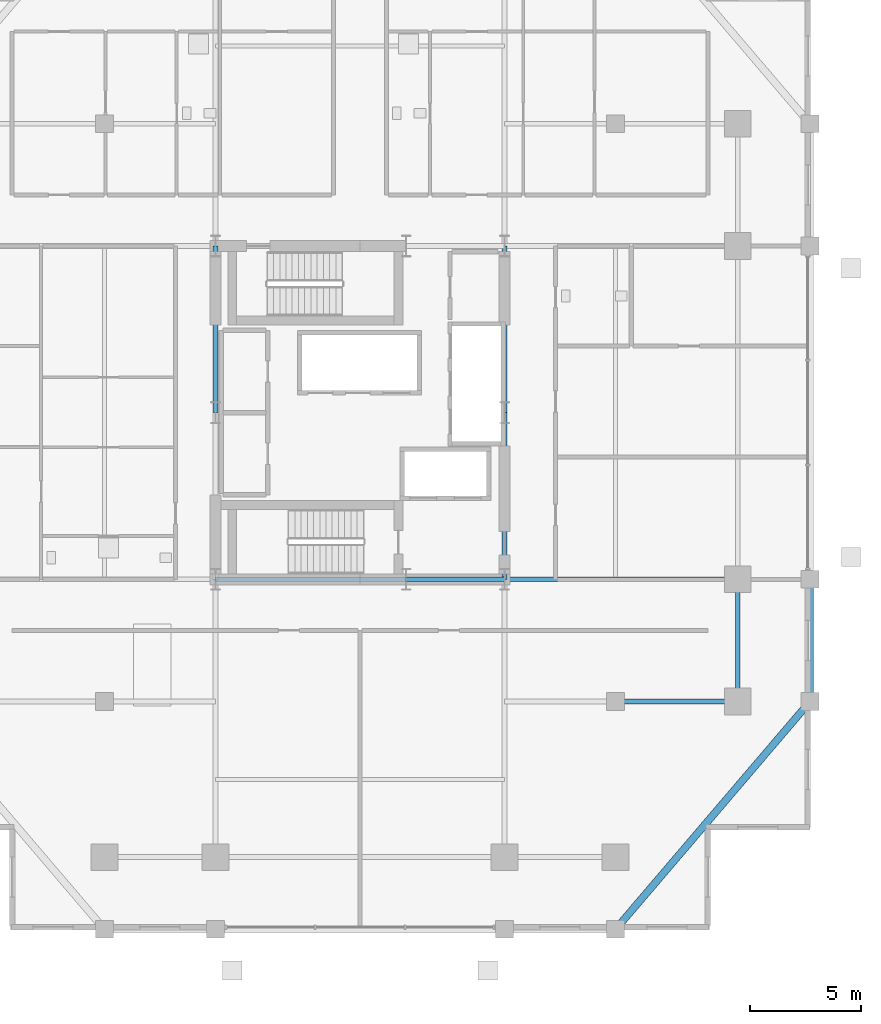
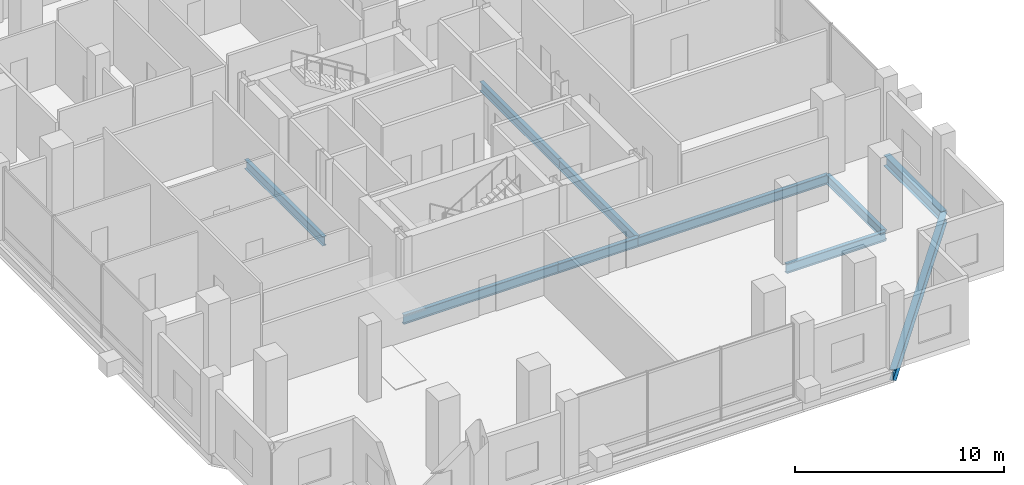
# One storey, part 6 of 19: 10 beams.
"""IFC4 building model written with IfcOpenShell, lengths in metres."""

import ifcopenshell
import ifcopenshell.guid

model = None  # the IFC model being written
_history = None  # IfcOwnerHistory: only IFC2X3 demands one
_inside = {}  # id of a spatial element -> (the spatial element, [elements in it])
_under = {}  # id of a project, library or spatial element -> (it, [spatial elements below it])
_declared = {}  # id of a project -> (the project, [libraries it declares])
_typed = {}  # id of a type object -> (the type object, [elements of that type])
_made_of = {}  # id of a material, layer set ... -> (it, [elements and type objects made of it])


def new_model(schema):
    """Start an empty IFC model of exactly this schema.

    Asked for "IFC4X3", IfcOpenShell would pick the latest addendum, in which some entities
    have other attributes; the version numbers below select the first issue.
    IFC2X3 requires an IfcOwnerHistory on every rooted entity: one is made here for all.
    """
    global model, _history
    if schema == "IFC4X3":
        model = ifcopenshell.file(schema_version=(4, 3, 0, 0))
    else:
        model = ifcopenshell.file(schema=schema)
    _inside.clear()
    _under.clear()
    _declared.clear()
    _typed.clear()
    _made_of.clear()
    _history = None
    if model.schema == "IFC2X3":
        org = make("IfcOrganization", Name="unknown")
        user = make(
            "IfcPersonAndOrganization",
            ThePerson=make("IfcPerson", FamilyName="unknown"),
            TheOrganization=org,
        )
        app = make(
            "IfcApplication",
            ApplicationDeveloper=org,
            Version="unknown",
            ApplicationFullName="unknown",
            ApplicationIdentifier="unknown",
        )
        _history = make(
            "IfcOwnerHistory",
            OwningUser=user,
            OwningApplication=app,
            ChangeAction="ADDED",
            CreationDate=0,
        )
    return model


def make(cls, **values):
    """One entity of the class cls with the attributes given. An attribute that is None is left unset."""
    return model.create_entity(
        cls, **{name: value for name, value in values.items() if value is not None}
    )


def rooted(cls, **values):
    """An entity with a GlobalId (a new one), such as an element, a storey or a relation."""
    return make(cls, GlobalId=ifcopenshell.guid.new(), OwnerHistory=_history, **values)


def si_unit(unit_type, name, prefix=None):
    """IfcSIUnit, for example si_unit("LENGTHUNIT", "METRE", prefix="MILLI")."""
    return make("IfcSIUnit", UnitType=unit_type, Prefix=prefix, Name=name)


def assignment(units):
    """IfcUnitAssignment: the units of a project."""
    return None if units is None else make("IfcUnitAssignment", Units=units)


def point(xyz):
    """IfcCartesianPoint."""
    return None if xyz is None else make("IfcCartesianPoint", Coordinates=xyz)


def direction(xyz):
    """IfcDirection."""
    return None if xyz is None else make("IfcDirection", DirectionRatios=xyz)


def frame(location, z_axis=None, x_axis=None):
    """IfcAxis2Placement3D, a coordinate frame: its origin and axes. An axis left out is left unset."""
    return make(
        "IfcAxis2Placement3D",
        Location=point(location),
        Axis=direction(z_axis),
        RefDirection=direction(x_axis),
    )


def frame_2d(location, x_axis=None):
    """IfcAxis2Placement2D, a coordinate frame in the plane: its origin and x axis."""
    return make(
        "IfcAxis2Placement2D", Location=point(location), RefDirection=direction(x_axis)
    )


def origin():
    """The frame at (0, 0, 0) with its axes left unset."""
    return frame((0.0, 0.0, 0.0))


def origin_2d():
    """The frame at (0, 0) in the plane with its x axis left unset."""
    return frame_2d((0.0, 0.0))


def place(relative_to, where):
    """IfcLocalPlacement: puts the frame where relative to a parent placement (None: the world)."""
    return make(
        "IfcLocalPlacement", PlacementRelTo=relative_to, RelativePlacement=where
    )


def context(
    kind, dimensions, precision=None, world=None, true_north=None, identifier=None
):
    """IfcGeometricRepresentationContext, for example the 3D "Model" context."""
    return make(
        "IfcGeometricRepresentationContext",
        ContextIdentifier=identifier,
        ContextType=kind,
        CoordinateSpaceDimension=dimensions,
        Precision=precision,
        WorldCoordinateSystem=world,
        TrueNorth=true_north,
    )


def subcontext(parent, identifier, kind, view, scale=None):
    """IfcGeometricRepresentationSubContext, for example "Body" below "Model"."""
    return make(
        "IfcGeometricRepresentationSubContext",
        ContextIdentifier=identifier,
        ContextType=kind,
        ParentContext=parent,
        TargetScale=scale,
        TargetView=view,
    )


def project(units=None, contexts=None):
    """IfcProject with its units and contexts."""
    return rooted(
        "IfcProject",
        Name="project",
        RepresentationContexts=contexts,
        UnitsInContext=assignment(units),
    )


def spatial(cls, under=None, at=None, **own):
    """A site, building, storey or space (cls), placed at a placement, below another one or the project."""
    s = rooted(cls, ObjectPlacement=at, **own)
    if under is not None:
        _under.setdefault(under.id(), (under, []))[1].append(s)
    return s


def profile(cls, at=None, kind="AREA", **sizes):
    """A parametric profile (cls). Its sizes go by their IFC names, for example OverallWidth=200.0."""
    return make(cls, ProfileType=kind, Position=at, **sizes)


def i_section(**sizes):
    """IfcIShapeProfileDef."""
    return profile("IfcIShapeProfileDef", **sizes)


def extrude(swept, where, along, depth):
    """IfcExtrudedAreaSolid: the profile swept, set in the frame where, extruded along a direction by depth."""
    return make(
        "IfcExtrudedAreaSolid",
        SweptArea=swept,
        Position=where,
        ExtrudedDirection=direction(along),
        Depth=depth,
    )


def shape(context_of_items, identifier, shape_type, items):
    """IfcShapeRepresentation: the items that make up one representation, for example the "Body"."""
    return make(
        "IfcShapeRepresentation",
        ContextOfItems=context_of_items,
        RepresentationIdentifier=identifier,
        RepresentationType=shape_type,
        Items=items,
    )


def material(Name=None, Category=None):
    """IfcMaterial."""
    return make("IfcMaterial", Name=Name, Category=Category)


def material_profile(
    of_material, cross_section, Name=None, Category=None, Priority=None
):
    """IfcMaterialProfile: a cross section and its material."""
    return make(
        "IfcMaterialProfile",
        Name=Name,
        Material=of_material,
        Profile=cross_section,
        Priority=Priority,
        Category=Category,
    )


def profile_set(profiles, Name=None, composite=None):
    """IfcMaterialProfileSet."""
    return make(
        "IfcMaterialProfileSet",
        Name=Name,
        MaterialProfiles=profiles,
        CompositeProfile=composite,
    )


def made_of(thing, what):
    """Note that an element or type object is made of a material, layer set ...; save() writes the relation."""
    if what is not None:
        _made_of.setdefault(what.id(), (what, []))[1].append(thing)
    return thing


def type_object(cls, material=None, **own):
    """A type object (cls), such as IfcWallType, which elements share."""
    return made_of(rooted(cls, **own), material)


def element(
    cls,
    number,
    at=None,
    inside=None,
    cuts=None,
    type_object=None,
    material=None,
    context=None,
    identifier="Body",
    shape_type=None,
    held_by="IfcProductDefinitionShape",
    body=None,
    shapes=None,
    **own,
):
    """One element of the class cls, such as IfcWall. Its Tag is "e" and its number.

    at: its placement. inside: the storey or other place that contains it. cuts: it is an
    opening in that element (IfcRelVoidsElement). A single representation is given by context,
    identifier, shape_type and body (its items); several are given by shapes. held_by: the class
    of the entity that holds the representations. save() writes the other relations.
    """
    e = rooted(cls, Tag="e%d" % number, ObjectPlacement=at, **own)
    if body is not None:
        shapes = [shape(context, identifier, shape_type, body)]
    if shapes is not None:
        e.Representation = make(held_by, Representations=shapes)
    if inside is not None:
        _inside.setdefault(inside.id(), (inside, []))[1].append(e)
    if cuts is not None:
        rooted(
            "IfcRelVoidsElement", RelatingBuildingElement=cuts, RelatedOpeningElement=e
        )
    if type_object is not None:
        _typed.setdefault(type_object.id(), (type_object, []))[1].append(e)
    return made_of(e, material)


def aggregate(whole, parts):
    """IfcRelAggregates: a whole, such as a stair, and the parts it consists of."""
    return rooted("IfcRelAggregates", RelatingObject=whole, RelatedObjects=parts)


def save(model, path):
    """Write the relations noted so far, then the file.

    IfcRelAggregates (storeys below a building ...), IfcRelContainedInSpatialStructure (elements
    in a storey), IfcRelDefinesByType, IfcRelAssociatesMaterial and IfcRelDeclares: one each for
    every whole, place, type object, material and project.
    """
    for whole, parts in _under.values():
        aggregate(whole, parts)
    for where, things in _inside.values():
        rooted(
            "IfcRelContainedInSpatialStructure",
            RelatedElements=things,
            RelatingStructure=where,
        )
    for kind, things in _typed.values():
        rooted("IfcRelDefinesByType", RelatedObjects=things, RelatingType=kind)
    for what, things in _made_of.values():
        rooted("IfcRelAssociatesMaterial", RelatedObjects=things, RelatingMaterial=what)
    for by, libraries in _declared.values():
        rooted("IfcRelDeclares", RelatingContext=by, RelatedDefinitions=libraries)
    model.write(path)


model = new_model("IFC4")

# Units and contexts
model_context = context("Model", 3, precision=1e-05, world=origin(), true_north=direction((0.0, 1.0)))
body_context = subcontext(model_context, "Body", "Model", "MODEL_VIEW")
ifc_project = project(units=[si_unit("LENGTHUNIT", "METRE"), si_unit("AREAUNIT", "SQUARE_METRE"), si_unit("VOLUMEUNIT", "CUBIC_METRE"), si_unit("PLANEANGLEUNIT", "RADIAN"), si_unit("MASSUNIT", "GRAM", prefix="KILO")], contexts=[model_context])

# Site, building, storey
site_placement = place(None, origin())
site = spatial("IfcSite", under=ifc_project, at=site_placement, CompositionType="ELEMENT")
building_placement = place(site_placement, origin())
building = spatial("IfcBuilding", under=site, at=building_placement, Name="Barlavira Tower and Art Museum", CompositionType="ELEMENT")
storey_placement = place(building_placement, frame((0.0, 0.0, 125.10009765625)))
storey = spatial("IfcBuildingStorey", under=building, at=storey_placement, Name="L31", CompositionType="ELEMENT", Elevation=125.10009765625)

# Beams
ifc_material = material(Name="Steel S355", Category="steel")
ifc_material_profile_1 = material_profile(ifc_material, i_section(OverallWidth=0.327880859375, OverallDepth=0.62890625, WebThickness=0.013916015625, FlangeThickness=0.021484375, at=origin_2d()), Name="W610x174.0")
ifc_profile_set_1 = profile_set([ifc_material_profile_1], Name="Steel S355")
beam_type_1 = type_object("IfcBeamType", Name="Perimeter Spandrel Edge Beam W610x174 Steel S355", PredefinedType="SPANDREL", material=ifc_profile_set_1)
beam_1_placement = place(storey_placement, frame((11.5, -23.25, -0.614501953125), z_axis=(0.649262379928, 0.760564502202, 0.0), x_axis=(-0.760564502202, 0.649262379928, 0.0)))
element("IfcBeam", 1, at=beam_1_placement, inside=storey, type_object=beam_type_1, Name="L31 Spandrel 4", PredefinedType="SPANDREL", context=body_context, shape_type="SweptSolid", body=[
    extrude(i_section(OverallWidth=0.327880859375, OverallDepth=0.62890625, WebThickness=0.013916015625, FlangeThickness=0.021484375, at=origin_2d()), origin(), (0.0, 0.0, 1.0), 13.476806640625),
])
beam_2_placement = place(storey_placement, frame((20.25, -13.0, -0.614501953125), z_axis=(0.0, 1.0, 0.0), x_axis=(-1.0, 0.0, 0.0)))
element("IfcBeam", 2, at=beam_2_placement, inside=storey, type_object=beam_type_1, Name="L31 Spandrel 5", PredefinedType="SPANDREL", context=body_context, shape_type="SweptSolid", body=[
    extrude(i_section(OverallWidth=0.327880859375, OverallDepth=0.62890625, WebThickness=0.013916015625, FlangeThickness=0.021484375, at=origin_2d()), origin(), (0.0, 0.0, 1.0), 5.5),
])
ifc_material_profile_2 = material_profile(ifc_material, i_section(OverallWidth=0.214111328125, OverallDepth=0.549072265625, WebThickness=0.0146484375, FlangeThickness=0.023681640625, at=origin_2d()), Name="W530x138.0")
ifc_profile_set_2 = profile_set([ifc_material_profile_2], Name="Steel S355")
beam_type_2 = type_object("IfcBeamType", Name="Zone 1 Primary Floor Girder W530x138 Steel S355", PredefinedType="BEAM", material=ifc_profile_set_2)
beam_3_placement = place(storey_placement, frame((-6.5, -7.5, -0.57470703125), z_axis=(1.0, 0.0, 0.0), x_axis=(0.0, 1.0, 0.0)))
element("IfcBeam", 3, at=beam_3_placement, inside=storey, type_object=beam_type_2, Name="L31 Girder C-S1", PredefinedType="BEAM", context=body_context, shape_type="SweptSolid", body=[
    extrude(i_section(OverallWidth=0.214111328125, OverallDepth=0.549072265625, WebThickness=0.0146484375, FlangeThickness=0.023681640625, at=origin_2d()), origin(), (0.0, 0.0, 1.0), 8.580078125),
])
beam_4_placement = place(storey_placement, frame((2.080078125, -7.5, -0.57470703125), z_axis=(1.0, 0.0, 0.0), x_axis=(0.0, 1.0, 0.0)))
element("IfcBeam", 4, at=beam_4_placement, inside=storey, type_object=beam_type_2, Name="L31 Girder C-S2", PredefinedType="BEAM", context=body_context, shape_type="SweptSolid", body=[
    extrude(i_section(OverallWidth=0.214111328125, OverallDepth=0.549072265625, WebThickness=0.0146484375, FlangeThickness=0.023681640625, at=origin_2d()), origin(), (0.0, 0.0, 1.0), 4.419921875),
])
for number, where, z_axis, x_axis, name in (
    (5, (-6.5, 0.0, -0.57470703125), (0.0, 1.0, 0.0), (-1.0, 0.0, 0.0), "L31 Girder C-W2"),
    (6, (6.5, -7.5, -0.57470703125), (0.0, 1.0, 0.0), (-1.0, 0.0, 0.0), "L31 Girder C-E1"),
    (7, (6.5, 0.0, -0.57470703125), (0.0, 1.0, 0.0), (-1.0, 0.0, 0.0), "L31 Girder C-E2"),
):
    element("IfcBeam", number, at=place(storey_placement, frame(where, z_axis=z_axis, x_axis=x_axis)), inside=storey, type_object=beam_type_2, Name=name, PredefinedType="BEAM", context=body_context, shape_type="SweptSolid", body=[
        extrude(i_section(OverallWidth=0.214111328125, OverallDepth=0.549072265625, WebThickness=0.0146484375, FlangeThickness=0.023681640625, at=origin_2d()), origin(), (0.0, 0.0, 1.0), 7.5),
    ])
beam_5_placement = place(storey_placement, frame((17.0, -13.0, -0.57470703125), z_axis=(0.0, 1.0, 0.0), x_axis=(-1.0, 0.0, 0.0)))
element("IfcBeam", 8, at=beam_5_placement, inside=storey, type_object=beam_type_2, Name="L31 Girder M-E1", PredefinedType="BEAM", context=body_context, shape_type="SweptSolid", body=[
    extrude(i_section(OverallWidth=0.214111328125, OverallDepth=0.549072265625, WebThickness=0.0146484375, FlangeThickness=0.023681640625, at=origin_2d()), origin(), (0.0, 0.0, 1.0), 5.5),
])
beam_6_placement = place(storey_placement, frame((6.5, -7.5, -0.57470703125), z_axis=(1.0, 0.0, 0.0), x_axis=(0.0, 1.0, 0.0)))
element("IfcBeam", 9, at=beam_6_placement, inside=storey, type_object=beam_type_2, Name="L31 Girder R-E1", PredefinedType="BEAM", context=body_context, shape_type="SweptSolid", body=[
    extrude(i_section(OverallWidth=0.214111328125, OverallDepth=0.549072265625, WebThickness=0.0146484375, FlangeThickness=0.023681640625, at=origin_2d()), origin(), (0.0, 0.0, 1.0), 10.5),
])
beam_7_placement = place(storey_placement, frame((11.5, -13.0, -0.57470703125), z_axis=(1.0, 0.0, 0.0), x_axis=(0.0, 1.0, 0.0)))
element("IfcBeam", 10, at=beam_7_placement, inside=storey, type_object=beam_type_2, Name="L31 Girder I-S4", PredefinedType="BEAM", context=body_context, shape_type="SweptSolid", body=[
    extrude(i_section(OverallWidth=0.214111328125, OverallDepth=0.549072265625, WebThickness=0.0146484375, FlangeThickness=0.023681640625, at=origin_2d()), origin(), (0.0, 0.0, 1.0), 5.5),
])

save(model, "model.ifc")
